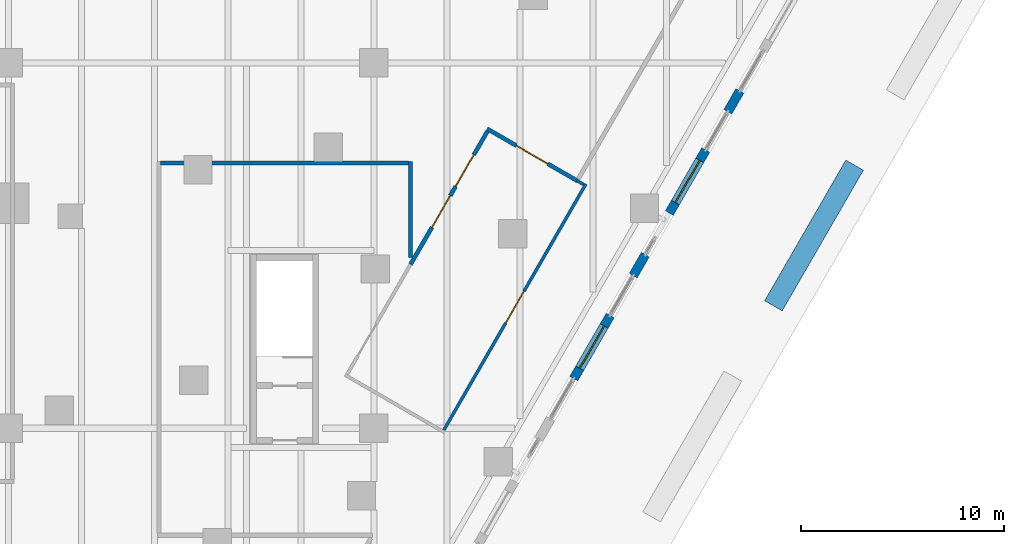
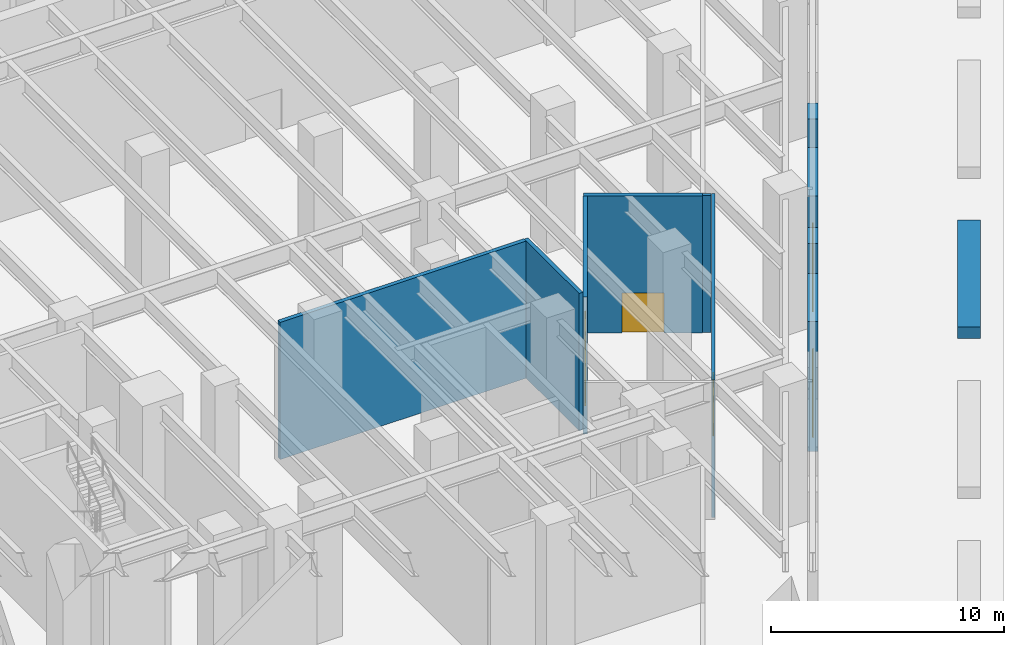
# One storey, part 27 of 37: 11 walls, 6 doors, 6 openings.
"""IFC4 building model written with IfcOpenShell, lengths in metres."""

from ifc_helpers import new_model, si_unit, direction, frame, frame_2d, origin, place, context, subcontext, project, spatial, rectangle, extrude, material, layer, layer_set, type_object, element, fill, save


model = new_model("IFC4")

# Units and contexts
model_context = context("Model", 3, precision=1e-05, world=origin(), true_north=direction((0.0, 1.0)))
body_context = subcontext(model_context, "Body", "Model", "MODEL_VIEW")
ifc_project = project(units=[si_unit("LENGTHUNIT", "METRE"), si_unit("AREAUNIT", "SQUARE_METRE"), si_unit("VOLUMEUNIT", "CUBIC_METRE"), si_unit("PLANEANGLEUNIT", "RADIAN"), si_unit("MASSUNIT", "GRAM", prefix="KILO")], contexts=[model_context])

# Site, building, storey
site_placement = place(None, origin())
site = spatial("IfcSite", under=ifc_project, at=site_placement, CompositionType="ELEMENT")
building_placement = place(site_placement, origin())
building = spatial("IfcBuilding", under=site, at=building_placement, Name="Aloe Facet Convention Tower", CompositionType="ELEMENT")
storey_placement = place(building_placement, origin())
storey = spatial("IfcBuildingStorey", under=building, at=storey_placement, Name="L00", CompositionType="ELEMENT", Elevation=0.0)

# Wall
ifc_material_1 = material(Name="Precast concrete C40/50", Category="concrete")
ifc_layer_1 = layer(ifc_material_1, 1.0)
ifc_layer_set_1 = layer_set([ifc_layer_1], Name="EV-PLANTER-BED")
wall_type_1 = type_object("IfcWallType", Name="EV-PLANTER-BED", PredefinedType="STANDARD", material=ifc_layer_set_1)
wall_1_placement = place(storey_placement, frame((121.6787109375, 93.96044921875, 0.0), z_axis=(0.0, 0.0, 1.0), x_axis=(-0.49999894854, -0.866026010844, 0.0)))
element("IfcWall", 1, at=wall_1_placement, inside=storey, type_object=wall_type_1, Name="PLANTER G-4", PredefinedType="STANDARD", context=body_context, shape_type="SweptSolid", body=[
    extrude(rectangle(XDim=8.0, YDim=1.0, at=frame_2d((4.0, 0.0))), origin(), (0.0, 0.0, 1.0), 0.60009765625),
])

# Wall, opening, door
ifc_material_2 = material(Name="Precast concrete C40/50", Category="concrete")
ifc_layer_2 = layer(ifc_material_2, 0.449951171875)
ifc_layer_set_2 = layer_set([ifc_layer_2], Name="EV-WALL-STONE")
wall_type_2 = type_object("IfcWallType", Name="EV-WALL-STONE", PredefinedType="SOLIDWALL", material=ifc_layer_set_2)
wall_2_placement = place(storey_placement, frame((107.8388671875, 83.43896484375, -0.300048828125), z_axis=(0.0, 0.0, 1.0), x_axis=(0.500012057535, 0.866018442252, 0.0)))
wall_2 = element("IfcWall", 2, at=wall_2_placement, inside=storey, type_object=wall_type_2, Name="PW-L00-E12", PredefinedType="SOLIDWALL", context=body_context, shape_type="SweptSolid", body=[
    extrude(rectangle(XDim=3.60009765625, YDim=0.449951171875, at=frame_2d((1.800048828125, 0.0))), origin(), (0.0, 0.0, 1.0), 6.8125),
])
opening_1_placement = place(wall_2_placement, frame((0.60009765625, 0.0, 0.300048828125)))
opening_1 = element("IfcOpeningElement", 3, at=opening_1_placement, cuts=wall_2, Name="Opening D-L00-E12", PredefinedType="OPENING", context=body_context, shape_type="SweptSolid", body=[
    extrude(rectangle(XDim=2.39990234375, YDim=3.0, at=frame_2d((1.199951171875, 1.5))), frame((0.0, 0.23486328125, 0.0), z_axis=(0.0, -1.0, 0.0), x_axis=(1.0, 0.0, 0.0)), (0.0, 0.0, 1.0), 0.469970703125),
])
ifc_material_3 = material(Name="Aluminium frame, clear double glazing", Category="aluminium")
door_type_1 = type_object("IfcDoorType", Name="EV-DOOR-ENTRY", OperationType="DOUBLE_DOOR_SINGLE_SWING", PredefinedType="DOOR", material=ifc_material_3)
door_1_placement = place(opening_1_placement, origin())
door_1 = element("IfcDoor", 4, at=door_1_placement, inside=storey, type_object=door_type_1, Name="D-L00-E12", OperationType="DOUBLE_DOOR_SINGLE_SWING", OverallHeight=3.0, OverallWidth=2.39990234375, PredefinedType="DOOR", context=body_context, shape_type="SweptSolid", body=[
    extrude(rectangle(XDim=2.39990234375, YDim=3.0, at=frame_2d((1.199951171875, 1.5))), frame((0.0, 0.02490234375, 0.0), z_axis=(0.0, -1.0, 0.0), x_axis=(1.0, 0.0, 0.0)), (0.0, 0.0, 1.0), 0.050048828125),
])
fill(opening_1, door_1)

# Wall
wall_3_placement = place(storey_placement, frame((110.769287109375, 88.514404296875, -0.300048828125), z_axis=(0.0, 0.0, 1.0), x_axis=(0.499880961361, 0.866094119867, 0.0)))
element("IfcWall", 5, at=wall_3_placement, inside=storey, type_object=wall_type_2, Name="PW-L00-E13", PredefinedType="SOLIDWALL", context=body_context, shape_type="SweptSolid", body=[
    extrude(rectangle(XDim=1.199951171875, YDim=0.449951171875, at=frame_2d((0.60009765625, 0.0))), origin(), (0.0, 0.0, 1.0), 6.8125),
])

# Wall, opening, door
wall_4_placement = place(storey_placement, frame((112.549560546875, 91.59814453125, -0.300048828125), z_axis=(0.0, 0.0, 1.0), x_axis=(0.500012057535, 0.866018442252, 0.0)))
wall_4 = element("IfcWall", 6, at=wall_4_placement, inside=storey, type_object=wall_type_2, Name="PW-L00-E14", PredefinedType="SOLIDWALL", context=body_context, shape_type="SweptSolid", body=[
    extrude(rectangle(XDim=3.60009765625, YDim=0.449951171875, at=frame_2d((1.800048828125, 0.0))), origin(), (0.0, 0.0, 1.0), 6.8125),
])
opening_2_placement = place(wall_4_placement, frame((0.60009765625, 0.0, 0.300048828125)))
opening_2 = element("IfcOpeningElement", 7, at=opening_2_placement, cuts=wall_4, Name="Opening D-L00-E14", PredefinedType="OPENING", context=body_context, shape_type="SweptSolid", body=[
    extrude(rectangle(XDim=2.39990234375, YDim=3.0, at=frame_2d((1.199951171875, 1.5))), frame((0.0, 0.23486328125, 0.0), z_axis=(0.0, -1.0, 0.0), x_axis=(1.0, 0.0, 0.0)), (0.0, 0.0, 1.0), 0.469970703125),
])
door_2_placement = place(opening_2_placement, origin())
door_2 = element("IfcDoor", 8, at=door_2_placement, inside=storey, type_object=door_type_1, Name="D-L00-E14", OperationType="DOUBLE_DOOR_SINGLE_SWING", OverallHeight=3.0, OverallWidth=2.39990234375, PredefinedType="DOOR", context=body_context, shape_type="SweptSolid", body=[
    extrude(rectangle(XDim=2.39990234375, YDim=3.0, at=frame_2d((1.199951171875, 1.5))), frame((0.0, 0.02490234375, 0.0), z_axis=(0.0, -1.0, 0.0), x_axis=(1.0, 0.0, 0.0)), (0.0, 0.0, 1.0), 0.050048828125),
])
fill(opening_2, door_2)

# Walls
wall_5_placement = place(storey_placement, frame((115.429931640625, 96.5869140625, -0.300048828125), z_axis=(0.0, 0.0, 1.0), x_axis=(0.500033551112, 0.866006032174, 0.0)))
element("IfcWall", 9, at=wall_5_placement, inside=storey, type_object=wall_type_2, Name="PW-L00-E15", PredefinedType="SOLIDWALL", context=body_context, shape_type="SweptSolid", body=[
    extrude(rectangle(XDim=1.2001953125, YDim=0.449951171875, at=frame_2d((0.60009765625, 0.0))), origin(), (0.0, 0.0, 1.0), 6.8125),
])
ifc_material_4 = material(Name="Masonry blockwork wall, plastered", Category="masonry")
ifc_layer_3 = layer(ifc_material_4, 0.199951171875)
ifc_layer_set_3 = layer_set([ifc_layer_3], Name="IN-POD-W-ASSY")
wall_type_3 = type_object("IfcWallType", Name="IN-POD-W-ASSY", PredefinedType="PARTITIONING", material=ifc_layer_set_3)
wall_6_placement = place(storey_placement, frame((99.80419921875, 89.418701171875, 0.0), z_axis=(0.0, 0.0, 1.0), x_axis=(-0.001963110336, 0.999998073097, 0.0)))
element("IfcWall", 10, at=wall_6_placement, inside=storey, type_object=wall_type_3, Name="Partition L00-W023", PredefinedType="PARTITIONING", context=body_context, shape_type="SweptSolid", body=[
    extrude(rectangle(XDim=4.725830078125, YDim=0.199951171875, at=frame_2d((2.36279296875, 0.0))), origin(), (0.0, 0.0, 1.0), 7.199951171875),
])

# Wall, opening, door
wall_7_placement = place(storey_placement, frame((103.5751953125, 95.7529296875, 0.0), z_axis=(0.0, 0.0, 1.0), x_axis=(0.866026913713, -0.499997384719, 0.0)))
wall_7 = element("IfcWall", 11, at=wall_7_placement, inside=storey, type_object=wall_type_3, Name="Partition L00-W027", PredefinedType="PARTITIONING", context=body_context, shape_type="SweptSolid", body=[
    extrude(rectangle(XDim=5.12451171875, YDim=0.199951171875, at=frame_2d((2.562255859375, 0.0))), origin(), (0.0, 0.0, 1.0), 7.199951171875),
])
opening_3_placement = place(wall_7_placement, frame((1.662353515625, 0.0, 0.0)))
opening_3 = element("IfcOpeningElement", 12, at=opening_3_placement, cuts=wall_7, Name="Opening L00-025", PredefinedType="OPENING", context=body_context, shape_type="SweptSolid", body=[
    extrude(rectangle(XDim=1.800048828125, YDim=2.10009765625, at=frame_2d((0.89990234375, 1.050048828125))), frame((0.0, 0.10986328125, 0.0), z_axis=(0.0, -1.0, 0.0), x_axis=(1.0, 0.0, 0.0)), (0.0, 0.0, 1.0), 0.219970703125),
])
ifc_material_5 = material(Name="Hardwood flush door pair", Category="wood")
door_type_2 = type_object("IfcDoorType", Name="IN-POD-D-PAIR", OperationType="DOUBLE_DOOR_SINGLE_SWING", PredefinedType="DOOR", material=ifc_material_5)
door_3_placement = place(opening_3_placement, origin())
door_3 = element("IfcDoor", 13, at=door_3_placement, inside=storey, type_object=door_type_2, Name="Door L00-025", OperationType="SINGLE_SWING_LEFT", OverallHeight=2.10009765625, OverallWidth=1.800048828125, PredefinedType="DOOR", context=body_context, shape_type="SweptSolid", body=[
    extrude(rectangle(XDim=1.800048828125, YDim=2.10009765625, at=frame_2d((0.89990234375, 1.050048828125))), frame((0.0, 0.02490234375, 0.0), z_axis=(0.0, -1.0, 0.0), x_axis=(1.0, 0.0, 0.0)), (0.0, 0.0, 1.0), 0.050048828125),
])
fill(opening_3, door_3)

# Wall
wall_8_placement = place(storey_placement, frame((87.489990234375, 94.069580078125, 0.0), z_axis=(0.0, 0.0, 1.0), x_axis=(1.0, 0.0, 0.0)))
element("IfcWall", 14, at=wall_8_placement, inside=storey, type_object=wall_type_3, Name="Partition L00-W034", PredefinedType="PARTITIONING", context=body_context, shape_type="SweptSolid", body=[
    extrude(rectangle(XDim=12.219970703125, YDim=0.199951171875, at=frame_2d((6.10986328125, 0.0))), origin(), (0.0, 0.0, 1.0), 7.199951171875),
])

# Wall, openings, doors
wall_9_placement = place(storey_placement, frame((99.804931640625, 89.07373046875, 0.0), z_axis=(0.0, 0.0, 1.0), x_axis=(0.500061423056, 0.865989938262, 0.0)))
wall_9 = element("IfcWall", 15, at=wall_9_placement, inside=storey, type_object=wall_type_3, Name="Partition L00-W035", PredefinedType="PARTITIONING", context=body_context, shape_type="SweptSolid", body=[
    extrude(rectangle(XDim=7.564453125, YDim=0.199951171875, at=frame_2d((3.7822265625, 0.0))), origin(), (0.0, 0.0, 1.0), 7.199951171875),
])
opening_4_placement = place(wall_9_placement, frame((4.431640625, 0.0, 0.0)))
opening_4 = element("IfcOpeningElement", 16, at=opening_4_placement, cuts=wall_9, Name="Opening L00-022", PredefinedType="OPENING", context=body_context, shape_type="SweptSolid", body=[
    extrude(rectangle(XDim=1.800048828125, YDim=2.10009765625, at=frame_2d((0.89990234375, 1.050048828125))), frame((0.0, 0.10986328125, 0.0), z_axis=(0.0, -1.0, 0.0), x_axis=(1.0, 0.0, 0.0)), (0.0, 0.0, 1.0), 0.219970703125),
])
opening_5_placement = place(wall_9_placement, frame((2.107666015625, 0.0, 0.0)))
opening_5 = element("IfcOpeningElement", 17, at=opening_5_placement, cuts=wall_9, Name="Opening L00-026", PredefinedType="OPENING", context=body_context, shape_type="SweptSolid", body=[
    extrude(rectangle(XDim=1.800048828125, YDim=2.10009765625, at=frame_2d((0.89990234375, 1.050048828125))), frame((0.0, 0.10986328125, 0.0), z_axis=(0.0, -1.0, 0.0), x_axis=(1.0, 0.0, 0.0)), (0.0, 0.0, 1.0), 0.219970703125),
])
door_4_placement = place(opening_4_placement, origin())
door_4 = element("IfcDoor", 18, at=door_4_placement, inside=storey, type_object=door_type_2, Name="Door L00-022", OperationType="SINGLE_SWING_LEFT", OverallHeight=2.10009765625, OverallWidth=1.800048828125, PredefinedType="DOOR", context=body_context, shape_type="SweptSolid", body=[
    extrude(rectangle(XDim=1.800048828125, YDim=2.10009765625, at=frame_2d((0.89990234375, 1.050048828125))), frame((0.0, 0.02490234375, 0.0), z_axis=(0.0, -1.0, 0.0), x_axis=(1.0, 0.0, 0.0)), (0.0, 0.0, 1.0), 0.050048828125),
])
fill(opening_4, door_4)
door_5_placement = place(opening_5_placement, origin())
door_5 = element("IfcDoor", 19, at=door_5_placement, inside=storey, type_object=door_type_2, Name="Door L00-026", OperationType="SINGLE_SWING_LEFT", OverallHeight=2.10009765625, OverallWidth=1.800048828125, PredefinedType="DOOR", context=body_context, shape_type="SweptSolid", body=[
    extrude(rectangle(XDim=1.800048828125, YDim=2.10009765625, at=frame_2d((0.89990234375, 1.050048828125))), frame((0.0, 0.02490234375, 0.0), z_axis=(0.0, -1.0, 0.0), x_axis=(1.0, 0.0, 0.0)), (0.0, 0.0, 1.0), 0.050048828125),
])
fill(opening_5, door_5)

# Wall, opening, door
ifc_material_6 = material(Name="Gypsum board partition on steel studs, double layer", Category="steel")
ifc_layer_4 = layer(ifc_material_6, 0.14990234375)
ifc_layer_set_4 = layer_set([ifc_layer_4], Name="IN-POD-W-CORR")
wall_type_4 = type_object("IfcWallType", Name="IN-POD-W-CORR", PredefinedType="PARTITIONING", material=ifc_layer_set_4)
wall_10_placement = place(storey_placement, frame((101.4453125, 80.9150390625, 0.0), z_axis=(0.0, 0.0, 1.0), x_axis=(0.500005438691, 0.866022263732, 0.0)))
wall_10 = element("IfcWall", 20, at=wall_10_placement, inside=storey, type_object=wall_type_4, Name="Partition L00-W026", PredefinedType="PARTITIONING", context=body_context, shape_type="SweptSolid", body=[
    extrude(rectangle(XDim=13.989990234375, YDim=0.14990234375, at=frame_2d((6.9951171875, 0.0))), origin(), (0.0, 0.0, 1.0), 7.199951171875),
])
opening_6_placement = place(wall_10_placement, frame((6.094970703125, 0.0, 0.0)))
opening_6 = element("IfcOpeningElement", 21, at=opening_6_placement, cuts=wall_10, Name="Opening L00-016", PredefinedType="OPENING", context=body_context, shape_type="SweptSolid", body=[
    extrude(rectangle(XDim=1.800048828125, YDim=2.10009765625, at=frame_2d((0.89990234375, 1.050048828125))), frame((0.0, 0.0849609375, 0.0), z_axis=(0.0, -1.0, 0.0), x_axis=(1.0, 0.0, 0.0)), (0.0, 0.0, 1.0), 0.169921875),
])
door_6_placement = place(opening_6_placement, origin())
door_6 = element("IfcDoor", 22, at=door_6_placement, inside=storey, type_object=door_type_2, Name="Door L00-016", OperationType="SINGLE_SWING_LEFT", OverallHeight=2.10009765625, OverallWidth=1.800048828125, PredefinedType="DOOR", context=body_context, shape_type="SweptSolid", body=[
    extrude(rectangle(XDim=1.800048828125, YDim=2.10009765625, at=frame_2d((0.89990234375, 1.050048828125))), frame((0.0, 0.02490234375, 0.0), z_axis=(0.0, -1.0, 0.0), x_axis=(1.0, 0.0, 0.0)), (0.0, 0.0, 1.0), 0.050048828125),
])
fill(opening_6, door_6)

# Wall
wall_11_placement = place(storey_placement, frame((108.01318359375, 93.190673828125, 0.0), z_axis=(0.0, 0.0, 1.0), x_axis=(0.866218991742, -0.499664545816, 0.0)))
element("IfcWall", 23, at=wall_11_placement, inside=storey, type_object=wall_type_4, Name="Partition L00-W028", PredefinedType="PARTITIONING", context=body_context, shape_type="SweptSolid", body=[
    extrude(rectangle(XDim=0.364990234375, YDim=0.14990234375, at=frame_2d((0.1826171875, 0.0))), origin(), (0.0, 0.0, 1.0), 7.199951171875),
])

save(model, "model.ifc")
